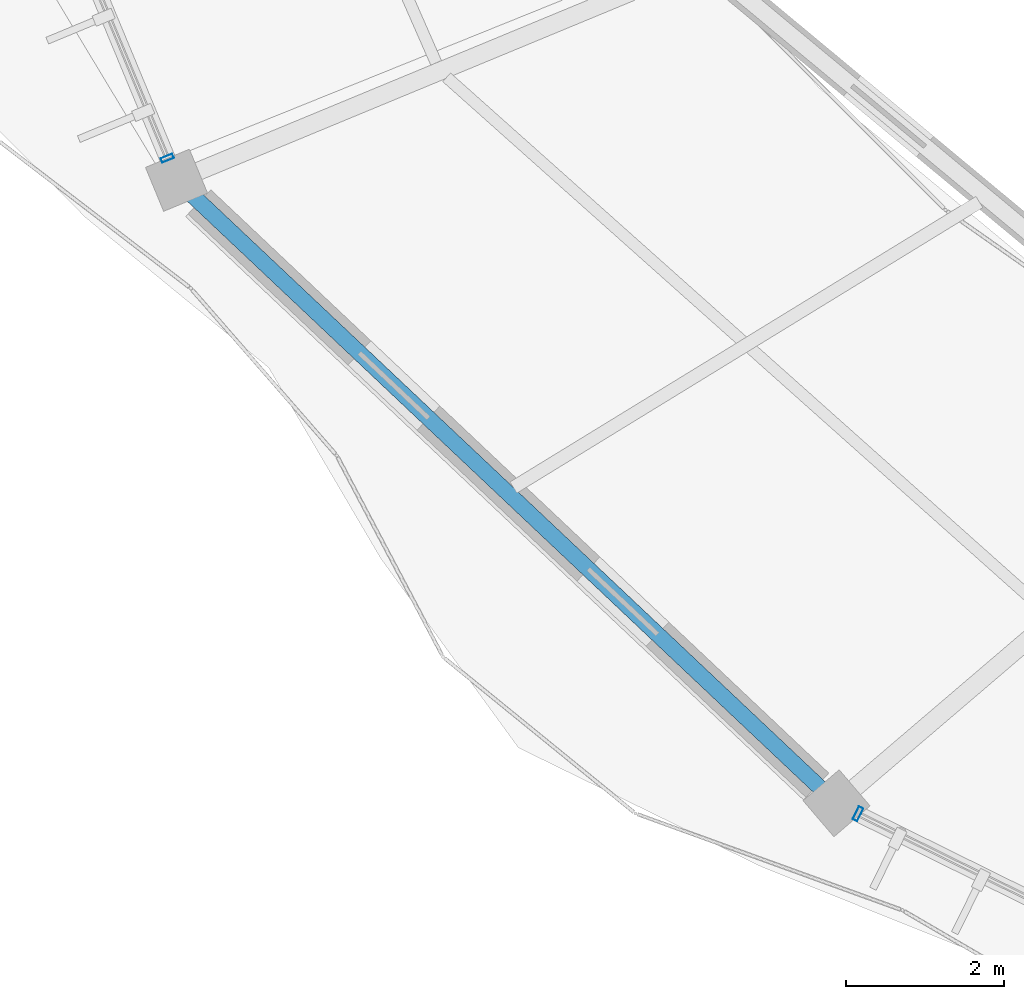
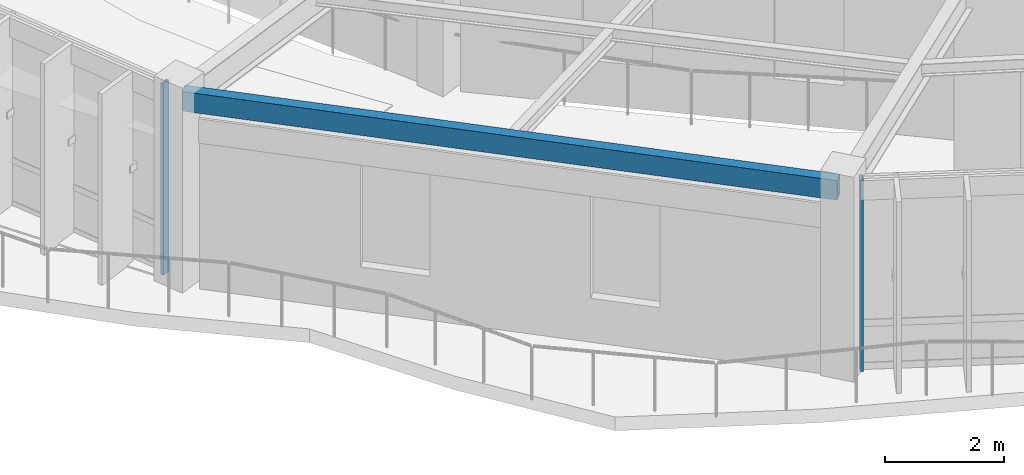
# One storey, part 13 of 83: 2 members, 1 beam, 2 elements without a shape of their own.
"""IFC4 building model written with IfcOpenShell, lengths in metres."""

from ifc_helpers import new_model, si_unit, direction, frame, origin, origin_2d, place, context, subcontext, project, spatial, hollow_rectangle, extrude, material, material_profile, profile_set, type_object, element, aggregate, save


model = new_model("IFC4")

# Units and contexts
model_context = context("Model", 3, precision=1e-05, world=origin(), true_north=direction((0.0, 1.0)))
body_context = subcontext(model_context, "Body", "Model", "MODEL_VIEW")
ifc_project = project(units=[si_unit("LENGTHUNIT", "METRE"), si_unit("AREAUNIT", "SQUARE_METRE"), si_unit("VOLUMEUNIT", "CUBIC_METRE"), si_unit("PLANEANGLEUNIT", "RADIAN"), si_unit("MASSUNIT", "GRAM", prefix="KILO"), si_unit("THERMODYNAMICTEMPERATUREUNIT", "KELVIN"), si_unit("POWERUNIT", "WATT")], contexts=[model_context])

# Site, building, storey
site_placement = place(None, origin())
site = spatial("IfcSite", under=ifc_project, at=site_placement, CompositionType="ELEMENT")
building_placement = place(site_placement, origin())
building = spatial("IfcBuilding", under=site, at=building_placement, Name="Darbajah Civic Hall", CompositionType="ELEMENT")
storey_placement = place(building_placement, frame((0.0, 0.0, 18.0)))
storey = spatial("IfcBuildingStorey", under=building, at=storey_placement, Name="L04", CompositionType="ELEMENT", Elevation=18.0)

# Curtain wall, member
ifc_material_1 = material(Name="Anodised Bronze Aluminium and Low-E Glazing", Category="aluminium")
curtain_wall_type_1 = type_object("IfcCurtainWallType", Name="Unitised Curtain Wall CW-59 9100x3900", PredefinedType="USERDEFINED", material=ifc_material_1)
curtain_wall_1_placement = place(storey_placement, origin())
curtain_wall_1 = element("IfcCurtainWall", 1, at=curtain_wall_1_placement, inside=storey, type_object=curtain_wall_type_1, Name="L04 unitised curtain wall CW-V1O-L04-10", ObjectType="UNITISED CURTAIN WALL", PredefinedType="USERDEFINED")
ifc_material_2 = material(Name="Anodised Bronze Aluminium", Category="aluminium")
ifc_material_profile_1 = material_profile(ifc_material_2, hollow_rectangle(XDim=0.06005859375, YDim=0.159912109375, WallThickness=0.00341796875, at=origin_2d()), Name="ALU MULLION 60x160")
ifc_profile_set_1 = profile_set([ifc_material_profile_1], Name="Anodised Bronze Aluminium")
member_type_1 = type_object("IfcMemberType", Name="ALU MULLION 60x160", PredefinedType="MULLION", material=ifc_profile_set_1)
member_1_placement = place(storey_placement, frame((41.8662109375, 78.789794921875, 0.0), z_axis=(0.0, 0.0, 1.0), x_axis=(0.383328328644, -0.923612143954, 0.0)))
member_1 = element("IfcMember", 2, at=member_1_placement, type_object=member_type_1, Name="CW-V1O-L04-10 mullion 5", PredefinedType="MULLION", context=body_context, shape_type="SweptSolid", body=[
    extrude(hollow_rectangle(XDim=0.06005859375, YDim=0.159912109375, WallThickness=0.00341796875, at=origin_2d()), origin(), (0.0, 0.0, 1.0), 3.919921875),
])
aggregate(curtain_wall_1, [member_1])

curtain_wall_type_2 = type_object("IfcCurtainWallType", Name="Unitised Curtain Wall CW-60 12900x3900", PredefinedType="USERDEFINED", material=ifc_material_1)
curtain_wall_2_placement = place(storey_placement, origin())
curtain_wall_2 = element("IfcCurtainWall", 3, at=curtain_wall_2_placement, inside=storey, type_object=curtain_wall_type_2, Name="L04 unitised curtain wall CW-V1O-L04-12", ObjectType="UNITISED CURTAIN WALL", PredefinedType="USERDEFINED")
ifc_material_profile_2 = material_profile(ifc_material_2, hollow_rectangle(XDim=0.06494140625, YDim=0.179931640625, WallThickness=0.00390625, at=origin_2d()), Name="ALU MULLION 65x180")
ifc_profile_set_2 = profile_set([ifc_material_profile_2], Name="Anodised Bronze Aluminium")
member_type_2 = type_object("IfcMemberType", Name="ALU MULLION 65x180", PredefinedType="MULLION", material=ifc_profile_set_2)
member_2_placement = place(storey_placement, frame((50.590087890625, 70.507568359375, 0.0), z_axis=(0.0, 0.0, 1.0), x_axis=(0.89656374724, -0.442914717678, 0.0)))
member_2 = element("IfcMember", 4, at=member_2_placement, type_object=member_type_2, Name="CW-V1O-L04-12 mullion 1", PredefinedType="MULLION", context=body_context, shape_type="SweptSolid", body=[
    extrude(hollow_rectangle(XDim=0.06494140625, YDim=0.179931640625, WallThickness=0.00390625, at=origin_2d()), origin(), (0.0, 0.0, 1.0), 3.919921875),
])
aggregate(curtain_wall_2, [member_2])

# Beam
ifc_material_3 = material(Name="Steel S355JR", Category="steel")
ifc_material_profile_3 = material_profile(ifc_material_3, hollow_rectangle(XDim=0.199951171875, YDim=0.39990234375, WallThickness=0.013916015625, at=origin_2d()), Name="RHS 400x200x14")
ifc_profile_set_3 = profile_set([ifc_material_profile_3], Name="Steel S355JR")
beam_type = type_object("IfcBeamType", Name="RHS 400x200x14", PredefinedType="SPANDREL", material=ifc_profile_set_3)
beam_placement = place(storey_placement, frame((42.040283203125, 78.455810546875, 3.719970703125), z_axis=(0.727210771045, -0.686414229512, 0.0), x_axis=(0.686414229512, 0.727210771045, 0.0)))
element("IfcBeam", 5, at=beam_placement, inside=storey, type_object=beam_type, Name="L04 beam SP-RHS400", PredefinedType="SPANDREL", context=body_context, shape_type="SweptSolid", body=[
    extrude(hollow_rectangle(XDim=0.199951171875, YDim=0.39990234375, WallThickness=0.013916015625, at=origin_2d()), origin(), (0.0, 0.0, 1.0), 11.304443359375),
])

save(model, "model.ifc")
